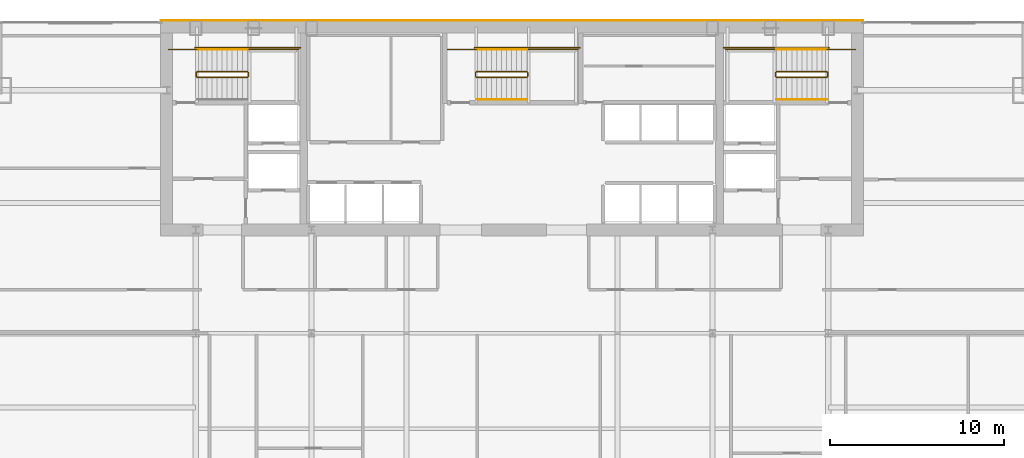
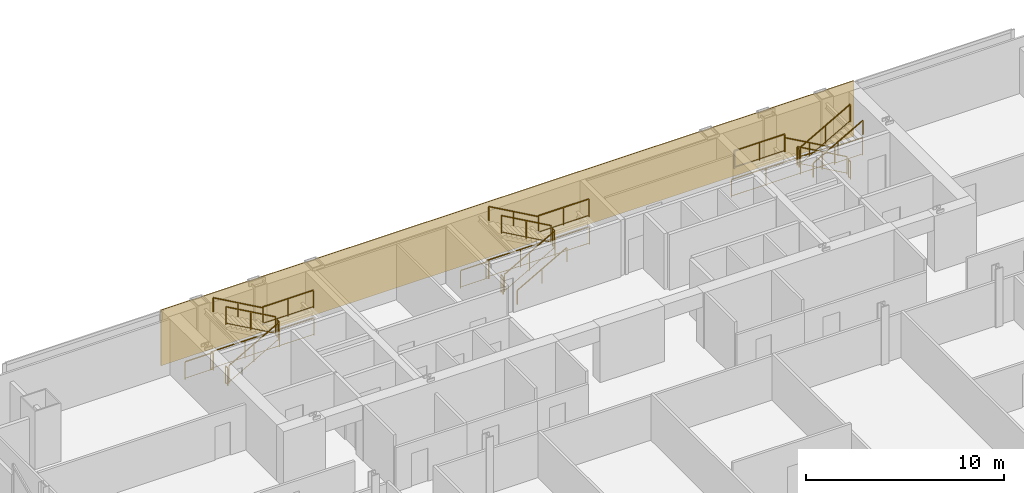
# One storey, part 33 of 33: 26 railings, 1 covering.
"""IFC4 building model written with IfcOpenShell, lengths in metres."""

from ifc_helpers import new_model, si_unit, direction, frame, origin, origin_2d, place, context, subcontext, project, spatial, polyline, rectangle, outline, extrude, material, layer, layer_set, type_object, element, save


model = new_model("IFC4")

# Units and contexts
model_context = context("Model", 3, precision=1e-05, world=origin(), true_north=direction((0.0, 1.0)))
body_context = subcontext(model_context, "Body", "Model", "MODEL_VIEW")
ifc_project = project(units=[si_unit("LENGTHUNIT", "METRE"), si_unit("AREAUNIT", "SQUARE_METRE"), si_unit("VOLUMEUNIT", "CUBIC_METRE"), si_unit("PLANEANGLEUNIT", "RADIAN"), si_unit("MASSUNIT", "GRAM", prefix="KILO")], contexts=[model_context])

# Site, building, storey
site_placement = place(None, origin())
site = spatial("IfcSite", under=ifc_project, at=site_placement, CompositionType="ELEMENT")
building_placement = place(site_placement, origin())
building = spatial("IfcBuilding", under=site, at=building_placement, Name="Khoronbel Lancet Exchange", CompositionType="ELEMENT")
storey_placement = place(building_placement, frame((0.0, 0.0, 114.60009765625)))
storey = spatial("IfcBuildingStorey", under=building, at=storey_placement, Name="L27", CompositionType="ELEMENT", Elevation=114.60009765625)

# Covering
ifc_material_1 = material(Name="Honed Egyptian Limestone & Bronze Rainscreen", Category="masonry")
ifc_layer = layer(ifc_material_1, 0.050048828125, Name="Honed Egyptian Limestone & Bronze Rainscreen")
ifc_layer_set = layer_set([ifc_layer], Name="Honed Egyptian Limestone & Bronze Rainscreen")
covering_type = type_object("IfcCoveringType", Name="COV-CLAD1", PredefinedType="CLADDING", material=ifc_layer_set)
covering_placement = place(storey_placement, origin())
element("IfcCovering", 1, at=covering_placement, inside=storey, type_object=covering_type, Name="Level L27 north rear-core stone and bronze rainscreen cladding", PredefinedType="CLADDING", context=body_context, shape_type="SweptSolid", body=[
    extrude(outline(polyline([(16.199951171875, 53.699951171875), (56.699951171875, 53.699951171875), (56.699951171875, 53.75), (16.199951171875, 53.75), (16.199951171875, 53.699951171875)])), origin(), (0.0, 0.0, 1.0), 3.43994140625),
])

# Railings
ifc_material_2 = material(Name="Painted Steel Balustrade", Category="steel")
railing_type_1 = type_object("IfcRailingType", Name="RL-STG110", PredefinedType="GUARDRAIL", material=ifc_material_2)
railing_1_placement = place(storey_placement, frame((18.300048828125, 50.449951171875, 0.16357421875)))
element("IfcRailing", 2, at=railing_1_placement, inside=storey, type_object=railing_type_1, Name="L27 ST1 stair guard 1", PredefinedType="GUARDRAIL", context=body_context, shape_type="SweptSolid", body=[
    extrude(rectangle(XDim=0.048095703125, YDim=0.048095703125, at=origin_2d()), frame((0.0, 0.0, 1.09619140625), z_axis=(0.870928581787, 0.0, 0.491409610636), x_axis=(0.0, 1.0, 0.0)), (0.0, 0.0, 1.0), 3.32958984375),
    extrude(rectangle(XDim=0.02392578125, YDim=0.02392578125, at=origin_2d()), frame((0.0, 0.0, 0.080078125), z_axis=(0.870928581787, 0.0, 0.491409610636), x_axis=(0.0, 1.0, 0.0)), (0.0, 0.0, 1.0), 3.32958984375),
    extrude(rectangle(XDim=0.0419921875, YDim=0.0419921875, at=origin_2d()), origin(), (0.0, 0.0, 1.0), 1.072021484375),
    extrude(rectangle(XDim=0.0419921875, YDim=0.0419921875, at=origin_2d()), frame((1.449951171875, 0.0, 0.818115234375)), (0.0, 0.0, 1.0), 1.072021484375),
    extrude(rectangle(XDim=0.0419921875, YDim=0.0419921875, at=origin_2d()), frame((2.89990234375, 0.0, 1.63623046875)), (0.0, 0.0, 1.0), 1.072021484375),
])
railing_2_placement = place(storey_placement, frame((21.25, 50.5, 1.7998046875)))
element("IfcRailing", 3, at=railing_2_placement, inside=storey, type_object=railing_type_1, Name="L27 ST1 stair guard 2", PredefinedType="GUARDRAIL", context=body_context, shape_type="SweptSolid", body=[
    extrude(rectangle(XDim=0.048095703125, YDim=0.048095703125, at=origin_2d()), frame((0.0, 0.0, 1.09619140625), z_axis=(0.0, 1.0, 0.0), x_axis=(-1.0, 0.0, 0.0)), (0.0, 0.0, 1.0), 0.219970703125),
    extrude(rectangle(XDim=0.02392578125, YDim=0.02392578125, at=origin_2d()), frame((0.0, 0.0, 0.080078125), z_axis=(0.0, 1.0, 0.0), x_axis=(-1.0, 0.0, 0.0)), (0.0, 0.0, 1.0), 0.219970703125),
    extrude(rectangle(XDim=0.0419921875, YDim=0.0419921875, at=origin_2d()), origin(), (0.0, 0.0, 1.0), 1.072021484375),
    extrude(rectangle(XDim=0.0419921875, YDim=0.0419921875, at=origin_2d()), frame((0.0, 0.219970703125, 0.0)), (0.0, 0.0, 1.0), 1.072021484375),
])
railing_3_placement = place(storey_placement, frame((21.199951171875, 52.050048828125, 1.7998046875)))
element("IfcRailing", 4, at=railing_3_placement, inside=storey, type_object=railing_type_1, Name="L27 ST1 stair guard 3", PredefinedType="GUARDRAIL", context=body_context, shape_type="SweptSolid", body=[
    extrude(rectangle(XDim=0.048095703125, YDim=0.048095703125, at=origin_2d()), frame((0.0, 0.0, 1.09619140625), z_axis=(1.0, 0.0, 0.0), x_axis=(0.0, 1.0, 0.0)), (0.0, 0.0, 1.0), 2.949951171875),
    extrude(rectangle(XDim=0.02392578125, YDim=0.02392578125, at=origin_2d()), frame((0.0, 0.0, 0.080078125), z_axis=(1.0, 0.0, 0.0), x_axis=(0.0, 1.0, 0.0)), (0.0, 0.0, 1.0), 2.949951171875),
    extrude(rectangle(XDim=0.0419921875, YDim=0.0419921875, at=origin_2d()), origin(), (0.0, 0.0, 1.0), 1.072021484375),
    extrude(rectangle(XDim=0.0419921875, YDim=0.0419921875, at=origin_2d()), frame((1.47509765625, 0.0, 0.0)), (0.0, 0.0, 1.0), 1.072021484375),
    extrude(rectangle(XDim=0.0419921875, YDim=0.0419921875, at=origin_2d()), frame((2.949951171875, 0.0, 0.0)), (0.0, 0.0, 1.0), 1.072021484375),
])
railing_4_placement = place(storey_placement, frame((21.199951171875, 50.77001953125, 1.963623046875)))
element("IfcRailing", 5, at=railing_4_placement, inside=storey, type_object=railing_type_1, Name="L27 ST1 stair guard 4", PredefinedType="GUARDRAIL", context=body_context, shape_type="SweptSolid", body=[
    extrude(rectangle(XDim=0.048095703125, YDim=0.048095703125, at=origin_2d()), frame((0.0, 0.0, 1.09619140625), z_axis=(-0.870928581787, 0.0, 0.491409610636), x_axis=(0.0, -1.0, 0.0)), (0.0, 0.0, 1.0), 3.32958984375),
    extrude(rectangle(XDim=0.02392578125, YDim=0.02392578125, at=origin_2d()), frame((0.0, 0.0, 0.080078125), z_axis=(-0.870928581787, 0.0, 0.491409610636), x_axis=(0.0, -1.0, 0.0)), (0.0, 0.0, 1.0), 3.32958984375),
    extrude(rectangle(XDim=0.0419921875, YDim=0.0419921875, at=origin_2d()), origin(), (0.0, 0.0, 1.0), 1.072021484375),
    extrude(rectangle(XDim=0.0419921875, YDim=0.0419921875, at=origin_2d()), frame((-1.449951171875, 0.0, 0.818115234375)), (0.0, 0.0, 1.0), 1.072021484375),
    extrude(rectangle(XDim=0.0419921875, YDim=0.0419921875, at=origin_2d()), frame((-2.89990234375, 0.0, 1.63623046875)), (0.0, 0.0, 1.0), 1.072021484375),
])
railing_5_placement = place(storey_placement, frame((18.25, 50.5, 0.0)))
element("IfcRailing", 6, at=railing_5_placement, inside=storey, type_object=railing_type_1, Name="L27 ST1 stair guard 5", PredefinedType="GUARDRAIL", context=body_context, shape_type="SweptSolid", body=[
    extrude(rectangle(XDim=0.048095703125, YDim=0.048095703125, at=origin_2d()), frame((0.0, 0.0, 1.09619140625), z_axis=(0.0, 1.0, 0.0), x_axis=(-1.0, 0.0, 0.0)), (0.0, 0.0, 1.0), 0.219970703125),
    extrude(rectangle(XDim=0.02392578125, YDim=0.02392578125, at=origin_2d()), frame((0.0, 0.0, 0.080078125), z_axis=(0.0, 1.0, 0.0), x_axis=(-1.0, 0.0, 0.0)), (0.0, 0.0, 1.0), 0.219970703125),
    extrude(rectangle(XDim=0.0419921875, YDim=0.0419921875, at=origin_2d()), origin(), (0.0, 0.0, 1.0), 1.072021484375),
    extrude(rectangle(XDim=0.0419921875, YDim=0.0419921875, at=origin_2d()), frame((0.0, 0.219970703125, 0.0)), (0.0, 0.0, 1.0), 1.072021484375),
])
railing_6_placement = place(storey_placement, frame((16.64990234375, 52.050048828125, 0.0)))
element("IfcRailing", 7, at=railing_6_placement, inside=storey, type_object=railing_type_1, Name="L27 ST1 stair guard 6", PredefinedType="GUARDRAIL", context=body_context, shape_type="SweptSolid", body=[
    extrude(rectangle(XDim=0.048095703125, YDim=0.048095703125, at=origin_2d()), frame((0.0, 0.0, 1.09619140625), z_axis=(1.0, 0.0, 0.0), x_axis=(0.0, 1.0, 0.0)), (0.0, 0.0, 1.0), 1.650146484375),
    extrude(rectangle(XDim=0.02392578125, YDim=0.02392578125, at=origin_2d()), frame((0.0, 0.0, 0.080078125), z_axis=(1.0, 0.0, 0.0), x_axis=(0.0, 1.0, 0.0)), (0.0, 0.0, 1.0), 1.650146484375),
    extrude(rectangle(XDim=0.0419921875, YDim=0.0419921875, at=origin_2d()), origin(), (0.0, 0.0, 1.0), 1.072021484375),
    extrude(rectangle(XDim=0.0419921875, YDim=0.0419921875, at=origin_2d()), frame((1.650146484375, 0.0, 0.0)), (0.0, 0.0, 1.0), 1.072021484375),
])
railing_7_placement = place(storey_placement, frame((18.199951171875, 52.14990234375, 0.0)))
element("IfcRailing", 8, at=railing_7_placement, inside=storey, type_object=railing_type_1, Name="L27 ST1 stair guard 7", PredefinedType="GUARDRAIL", context=body_context, shape_type="SweptSolid", body=[
    extrude(rectangle(XDim=0.048095703125, YDim=0.048095703125, at=origin_2d()), frame((0.0, 0.0, 1.09619140625), z_axis=(1.0, 0.0, 0.0), x_axis=(0.0, 1.0, 0.0)), (0.0, 0.0, 1.0), 6.050048828125),
    extrude(rectangle(XDim=0.02392578125, YDim=0.02392578125, at=origin_2d()), frame((0.0, 0.0, 0.080078125), z_axis=(1.0, 0.0, 0.0), x_axis=(0.0, 1.0, 0.0)), (0.0, 0.0, 1.0), 6.050048828125),
    extrude(rectangle(XDim=0.0419921875, YDim=0.0419921875, at=origin_2d()), origin(), (0.0, 0.0, 1.0), 1.072021484375),
    extrude(rectangle(XDim=0.0419921875, YDim=0.0419921875, at=origin_2d()), frame((2.0166015625, 0.0, 0.0)), (0.0, 0.0, 1.0), 1.072021484375),
    extrude(rectangle(XDim=0.0419921875, YDim=0.0419921875, at=origin_2d()), frame((4.033447265625, 0.0, 0.0)), (0.0, 0.0, 1.0), 1.072021484375),
    extrude(rectangle(XDim=0.0419921875, YDim=0.0419921875, at=origin_2d()), frame((6.050048828125, 0.0, 0.0)), (0.0, 0.0, 1.0), 1.072021484375),
])
railing_8_placement = place(storey_placement, frame((54.60009765625, 50.77001953125, 0.16357421875)))
element("IfcRailing", 9, at=railing_8_placement, inside=storey, type_object=railing_type_1, Name="L27 ST2 stair guard 1", PredefinedType="GUARDRAIL", context=body_context, shape_type="SweptSolid", body=[
    extrude(rectangle(XDim=0.048095703125, YDim=0.048095703125, at=origin_2d()), frame((0.0, 0.0, 1.09619140625), z_axis=(-0.870946286338, 0.0, 0.49137823142), x_axis=(0.0, -1.0, 0.0)), (0.0, 0.0, 1.0), 3.329833984375),
    extrude(rectangle(XDim=0.02392578125, YDim=0.02392578125, at=origin_2d()), frame((0.0, 0.0, 0.080078125), z_axis=(-0.870946286338, 0.0, 0.49137823142), x_axis=(0.0, -1.0, 0.0)), (0.0, 0.0, 1.0), 3.329833984375),
    extrude(rectangle(XDim=0.0419921875, YDim=0.0419921875, at=origin_2d()), origin(), (0.0, 0.0, 1.0), 1.072021484375),
    extrude(rectangle(XDim=0.0419921875, YDim=0.0419921875, at=origin_2d()), frame((-1.4501953125, 0.0, 0.818115234375)), (0.0, 0.0, 1.0), 1.072021484375),
    extrude(rectangle(XDim=0.0419921875, YDim=0.0419921875, at=origin_2d()), frame((-2.900146484375, 0.0, 1.63623046875)), (0.0, 0.0, 1.0), 1.072021484375),
])
railing_9_placement = place(storey_placement, frame((51.64990234375, 50.719970703125, 1.7998046875)))
element("IfcRailing", 10, at=railing_9_placement, inside=storey, type_object=railing_type_1, Name="L27 ST2 stair guard 2", PredefinedType="GUARDRAIL", context=body_context, shape_type="SweptSolid", body=[
    extrude(rectangle(XDim=0.048095703125, YDim=0.048095703125, at=origin_2d()), frame((0.0, 0.0, 1.09619140625), z_axis=(0.0, -1.0, 0.0), x_axis=(1.0, 0.0, 0.0)), (0.0, 0.0, 1.0), 0.219970703125),
    extrude(rectangle(XDim=0.02392578125, YDim=0.02392578125, at=origin_2d()), frame((0.0, 0.0, 0.080078125), z_axis=(0.0, -1.0, 0.0), x_axis=(1.0, 0.0, 0.0)), (0.0, 0.0, 1.0), 0.219970703125),
    extrude(rectangle(XDim=0.0419921875, YDim=0.0419921875, at=origin_2d()), origin(), (0.0, 0.0, 1.0), 1.072021484375),
    extrude(rectangle(XDim=0.0419921875, YDim=0.0419921875, at=origin_2d()), frame((0.0, -0.219970703125, 0.0)), (0.0, 0.0, 1.0), 1.072021484375),
])
railing_10_placement = place(storey_placement, frame((51.699951171875, 52.050048828125, 1.7998046875)))
element("IfcRailing", 11, at=railing_10_placement, inside=storey, type_object=railing_type_1, Name="L27 ST2 stair guard 3", PredefinedType="GUARDRAIL", context=body_context, shape_type="SweptSolid", body=[
    extrude(rectangle(XDim=0.048095703125, YDim=0.048095703125, at=origin_2d()), frame((0.0, 0.0, 1.09619140625), z_axis=(-1.0, 0.0, 0.0), x_axis=(0.0, -1.0, 0.0)), (0.0, 0.0, 1.0), 2.949951171875),
    extrude(rectangle(XDim=0.02392578125, YDim=0.02392578125, at=origin_2d()), frame((0.0, 0.0, 0.080078125), z_axis=(-1.0, 0.0, 0.0), x_axis=(0.0, -1.0, 0.0)), (0.0, 0.0, 1.0), 2.949951171875),
    extrude(rectangle(XDim=0.0419921875, YDim=0.0419921875, at=origin_2d()), origin(), (0.0, 0.0, 1.0), 1.072021484375),
    extrude(rectangle(XDim=0.0419921875, YDim=0.0419921875, at=origin_2d()), frame((-1.47509765625, 0.0, 0.0)), (0.0, 0.0, 1.0), 1.072021484375),
    extrude(rectangle(XDim=0.0419921875, YDim=0.0419921875, at=origin_2d()), frame((-2.949951171875, 0.0, 0.0)), (0.0, 0.0, 1.0), 1.072021484375),
])
railing_11_placement = place(storey_placement, frame((51.699951171875, 50.449951171875, 1.963623046875)))
element("IfcRailing", 12, at=railing_11_placement, inside=storey, type_object=railing_type_1, Name="L27 ST2 stair guard 4", PredefinedType="GUARDRAIL", context=body_context, shape_type="SweptSolid", body=[
    extrude(rectangle(XDim=0.048095703125, YDim=0.048095703125, at=origin_2d()), frame((0.0, 0.0, 1.09619140625), z_axis=(0.870946286338, 0.0, 0.49137823142), x_axis=(0.0, 1.0, 0.0)), (0.0, 0.0, 1.0), 3.329833984375),
    extrude(rectangle(XDim=0.02392578125, YDim=0.02392578125, at=origin_2d()), frame((0.0, 0.0, 0.080078125), z_axis=(0.870946286338, 0.0, 0.49137823142), x_axis=(0.0, 1.0, 0.0)), (0.0, 0.0, 1.0), 3.329833984375),
    extrude(rectangle(XDim=0.0419921875, YDim=0.0419921875, at=origin_2d()), origin(), (0.0, 0.0, 1.0), 1.072021484375),
    extrude(rectangle(XDim=0.0419921875, YDim=0.0419921875, at=origin_2d()), frame((1.4501953125, 0.0, 0.818115234375)), (0.0, 0.0, 1.0), 1.072021484375),
    extrude(rectangle(XDim=0.0419921875, YDim=0.0419921875, at=origin_2d()), frame((2.900146484375, 0.0, 1.63623046875)), (0.0, 0.0, 1.0), 1.072021484375),
])
railing_12_placement = place(storey_placement, frame((54.64990234375, 50.719970703125, 0.0)))
element("IfcRailing", 13, at=railing_12_placement, inside=storey, type_object=railing_type_1, Name="L27 ST2 stair guard 5", PredefinedType="GUARDRAIL", context=body_context, shape_type="SweptSolid", body=[
    extrude(rectangle(XDim=0.048095703125, YDim=0.048095703125, at=origin_2d()), frame((0.0, 0.0, 1.09619140625), z_axis=(0.0, -1.0, 0.0), x_axis=(1.0, 0.0, 0.0)), (0.0, 0.0, 1.0), 0.219970703125),
    extrude(rectangle(XDim=0.02392578125, YDim=0.02392578125, at=origin_2d()), frame((0.0, 0.0, 0.080078125), z_axis=(0.0, -1.0, 0.0), x_axis=(1.0, 0.0, 0.0)), (0.0, 0.0, 1.0), 0.219970703125),
    extrude(rectangle(XDim=0.0419921875, YDim=0.0419921875, at=origin_2d()), origin(), (0.0, 0.0, 1.0), 1.072021484375),
    extrude(rectangle(XDim=0.0419921875, YDim=0.0419921875, at=origin_2d()), frame((0.0, -0.219970703125, 0.0)), (0.0, 0.0, 1.0), 1.072021484375),
])
railing_13_placement = place(storey_placement, frame((56.25, 52.050048828125, 0.0)))
element("IfcRailing", 14, at=railing_13_placement, inside=storey, type_object=railing_type_1, Name="L27 ST2 stair guard 6", PredefinedType="GUARDRAIL", context=body_context, shape_type="SweptSolid", body=[
    extrude(rectangle(XDim=0.048095703125, YDim=0.048095703125, at=origin_2d()), frame((0.0, 0.0, 1.09619140625), z_axis=(-1.0, 0.0, 0.0), x_axis=(0.0, -1.0, 0.0)), (0.0, 0.0, 1.0), 1.64990234375),
    extrude(rectangle(XDim=0.02392578125, YDim=0.02392578125, at=origin_2d()), frame((0.0, 0.0, 0.080078125), z_axis=(-1.0, 0.0, 0.0), x_axis=(0.0, -1.0, 0.0)), (0.0, 0.0, 1.0), 1.64990234375),
    extrude(rectangle(XDim=0.0419921875, YDim=0.0419921875, at=origin_2d()), origin(), (0.0, 0.0, 1.0), 1.072021484375),
    extrude(rectangle(XDim=0.0419921875, YDim=0.0419921875, at=origin_2d()), frame((-1.64990234375, 0.0, 0.0)), (0.0, 0.0, 1.0), 1.072021484375),
])
railing_14_placement = place(storey_placement, frame((54.699951171875, 52.14990234375, 0.0)))
element("IfcRailing", 15, at=railing_14_placement, inside=storey, type_object=railing_type_1, Name="L27 ST2 stair guard 7", PredefinedType="GUARDRAIL", context=body_context, shape_type="SweptSolid", body=[
    extrude(rectangle(XDim=0.048095703125, YDim=0.048095703125, at=origin_2d()), frame((0.0, 0.0, 1.09619140625), z_axis=(-1.0, 0.0, 0.0), x_axis=(0.0, -1.0, 0.0)), (0.0, 0.0, 1.0), 6.050048828125),
    extrude(rectangle(XDim=0.02392578125, YDim=0.02392578125, at=origin_2d()), frame((0.0, 0.0, 0.080078125), z_axis=(-1.0, 0.0, 0.0), x_axis=(0.0, -1.0, 0.0)), (0.0, 0.0, 1.0), 6.050048828125),
    extrude(rectangle(XDim=0.0419921875, YDim=0.0419921875, at=origin_2d()), origin(), (0.0, 0.0, 1.0), 1.072021484375),
    extrude(rectangle(XDim=0.0419921875, YDim=0.0419921875, at=origin_2d()), frame((-2.0166015625, 0.0, 0.0)), (0.0, 0.0, 1.0), 1.072021484375),
    extrude(rectangle(XDim=0.0419921875, YDim=0.0419921875, at=origin_2d()), frame((-4.033447265625, 0.0, 0.0)), (0.0, 0.0, 1.0), 1.072021484375),
    extrude(rectangle(XDim=0.0419921875, YDim=0.0419921875, at=origin_2d()), frame((-6.050048828125, 0.0, 0.0)), (0.0, 0.0, 1.0), 1.072021484375),
])
railing_15_placement = place(storey_placement, frame((34.39990234375, 50.449951171875, 0.16357421875)))
element("IfcRailing", 16, at=railing_15_placement, inside=storey, type_object=railing_type_1, Name="L27 ST3 stair guard 1", PredefinedType="GUARDRAIL", context=body_context, shape_type="SweptSolid", body=[
    extrude(rectangle(XDim=0.048095703125, YDim=0.048095703125, at=origin_2d()), frame((0.0, 0.0, 1.09619140625), z_axis=(0.870946286338, 0.0, 0.49137823142), x_axis=(0.0, 1.0, 0.0)), (0.0, 0.0, 1.0), 3.329833984375),
    extrude(rectangle(XDim=0.02392578125, YDim=0.02392578125, at=origin_2d()), frame((0.0, 0.0, 0.080078125), z_axis=(0.870946286338, 0.0, 0.49137823142), x_axis=(0.0, 1.0, 0.0)), (0.0, 0.0, 1.0), 3.329833984375),
    extrude(rectangle(XDim=0.0419921875, YDim=0.0419921875, at=origin_2d()), origin(), (0.0, 0.0, 1.0), 1.072021484375),
    extrude(rectangle(XDim=0.0419921875, YDim=0.0419921875, at=origin_2d()), frame((1.4501953125, 0.0, 0.818115234375)), (0.0, 0.0, 1.0), 1.072021484375),
    extrude(rectangle(XDim=0.0419921875, YDim=0.0419921875, at=origin_2d()), frame((2.900146484375, 0.0, 1.63623046875)), (0.0, 0.0, 1.0), 1.072021484375),
])
railing_16_placement = place(storey_placement, frame((37.35009765625, 50.5, 1.7998046875)))
element("IfcRailing", 17, at=railing_16_placement, inside=storey, type_object=railing_type_1, Name="L27 ST3 stair guard 2", PredefinedType="GUARDRAIL", context=body_context, shape_type="SweptSolid", body=[
    extrude(rectangle(XDim=0.048095703125, YDim=0.048095703125, at=origin_2d()), frame((0.0, 0.0, 1.09619140625), z_axis=(0.0, 1.0, 0.0), x_axis=(-1.0, 0.0, 0.0)), (0.0, 0.0, 1.0), 0.219970703125),
    extrude(rectangle(XDim=0.02392578125, YDim=0.02392578125, at=origin_2d()), frame((0.0, 0.0, 0.080078125), z_axis=(0.0, 1.0, 0.0), x_axis=(-1.0, 0.0, 0.0)), (0.0, 0.0, 1.0), 0.219970703125),
    extrude(rectangle(XDim=0.0419921875, YDim=0.0419921875, at=origin_2d()), origin(), (0.0, 0.0, 1.0), 1.072021484375),
    extrude(rectangle(XDim=0.0419921875, YDim=0.0419921875, at=origin_2d()), frame((0.0, 0.219970703125, 0.0)), (0.0, 0.0, 1.0), 1.072021484375),
])
railing_17_placement = place(storey_placement, frame((37.300048828125, 52.050048828125, 1.7998046875)))
element("IfcRailing", 18, at=railing_17_placement, inside=storey, type_object=railing_type_1, Name="L27 ST3 stair guard 3", PredefinedType="GUARDRAIL", context=body_context, shape_type="SweptSolid", body=[
    extrude(rectangle(XDim=0.048095703125, YDim=0.048095703125, at=origin_2d()), frame((0.0, 0.0, 1.09619140625), z_axis=(1.0, 0.0, 0.0), x_axis=(0.0, 1.0, 0.0)), (0.0, 0.0, 1.0), 2.949951171875),
    extrude(rectangle(XDim=0.02392578125, YDim=0.02392578125, at=origin_2d()), frame((0.0, 0.0, 0.080078125), z_axis=(1.0, 0.0, 0.0), x_axis=(0.0, 1.0, 0.0)), (0.0, 0.0, 1.0), 2.949951171875),
    extrude(rectangle(XDim=0.0419921875, YDim=0.0419921875, at=origin_2d()), origin(), (0.0, 0.0, 1.0), 1.072021484375),
    extrude(rectangle(XDim=0.0419921875, YDim=0.0419921875, at=origin_2d()), frame((1.47509765625, 0.0, 0.0)), (0.0, 0.0, 1.0), 1.072021484375),
    extrude(rectangle(XDim=0.0419921875, YDim=0.0419921875, at=origin_2d()), frame((2.949951171875, 0.0, 0.0)), (0.0, 0.0, 1.0), 1.072021484375),
])
railing_18_placement = place(storey_placement, frame((37.300048828125, 50.77001953125, 1.963623046875)))
element("IfcRailing", 19, at=railing_18_placement, inside=storey, type_object=railing_type_1, Name="L27 ST3 stair guard 4", PredefinedType="GUARDRAIL", context=body_context, shape_type="SweptSolid", body=[
    extrude(rectangle(XDim=0.048095703125, YDim=0.048095703125, at=origin_2d()), frame((0.0, 0.0, 1.09619140625), z_axis=(-0.870946286338, 0.0, 0.49137823142), x_axis=(0.0, -1.0, 0.0)), (0.0, 0.0, 1.0), 3.329833984375),
    extrude(rectangle(XDim=0.02392578125, YDim=0.02392578125, at=origin_2d()), frame((0.0, 0.0, 0.080078125), z_axis=(-0.870946286338, 0.0, 0.49137823142), x_axis=(0.0, -1.0, 0.0)), (0.0, 0.0, 1.0), 3.329833984375),
    extrude(rectangle(XDim=0.0419921875, YDim=0.0419921875, at=origin_2d()), origin(), (0.0, 0.0, 1.0), 1.072021484375),
    extrude(rectangle(XDim=0.0419921875, YDim=0.0419921875, at=origin_2d()), frame((-1.4501953125, 0.0, 0.818115234375)), (0.0, 0.0, 1.0), 1.072021484375),
    extrude(rectangle(XDim=0.0419921875, YDim=0.0419921875, at=origin_2d()), frame((-2.900146484375, 0.0, 1.63623046875)), (0.0, 0.0, 1.0), 1.072021484375),
])
railing_19_placement = place(storey_placement, frame((34.35009765625, 50.5, 0.0)))
element("IfcRailing", 20, at=railing_19_placement, inside=storey, type_object=railing_type_1, Name="L27 ST3 stair guard 5", PredefinedType="GUARDRAIL", context=body_context, shape_type="SweptSolid", body=[
    extrude(rectangle(XDim=0.048095703125, YDim=0.048095703125, at=origin_2d()), frame((0.0, 0.0, 1.09619140625), z_axis=(0.0, 1.0, 0.0), x_axis=(-1.0, 0.0, 0.0)), (0.0, 0.0, 1.0), 0.219970703125),
    extrude(rectangle(XDim=0.02392578125, YDim=0.02392578125, at=origin_2d()), frame((0.0, 0.0, 0.080078125), z_axis=(0.0, 1.0, 0.0), x_axis=(-1.0, 0.0, 0.0)), (0.0, 0.0, 1.0), 0.219970703125),
    extrude(rectangle(XDim=0.0419921875, YDim=0.0419921875, at=origin_2d()), origin(), (0.0, 0.0, 1.0), 1.072021484375),
    extrude(rectangle(XDim=0.0419921875, YDim=0.0419921875, at=origin_2d()), frame((0.0, 0.219970703125, 0.0)), (0.0, 0.0, 1.0), 1.072021484375),
])
railing_20_placement = place(storey_placement, frame((32.75, 52.050048828125, 0.0)))
element("IfcRailing", 21, at=railing_20_placement, inside=storey, type_object=railing_type_1, Name="L27 ST3 stair guard 6", PredefinedType="GUARDRAIL", context=body_context, shape_type="SweptSolid", body=[
    extrude(rectangle(XDim=0.048095703125, YDim=0.048095703125, at=origin_2d()), frame((0.0, 0.0, 1.09619140625), z_axis=(1.0, 0.0, 0.0), x_axis=(0.0, 1.0, 0.0)), (0.0, 0.0, 1.0), 1.64990234375),
    extrude(rectangle(XDim=0.02392578125, YDim=0.02392578125, at=origin_2d()), frame((0.0, 0.0, 0.080078125), z_axis=(1.0, 0.0, 0.0), x_axis=(0.0, 1.0, 0.0)), (0.0, 0.0, 1.0), 1.64990234375),
    extrude(rectangle(XDim=0.0419921875, YDim=0.0419921875, at=origin_2d()), origin(), (0.0, 0.0, 1.0), 1.072021484375),
    extrude(rectangle(XDim=0.0419921875, YDim=0.0419921875, at=origin_2d()), frame((1.64990234375, 0.0, 0.0)), (0.0, 0.0, 1.0), 1.072021484375),
])
railing_21_placement = place(storey_placement, frame((34.300048828125, 52.14990234375, 0.0)))
element("IfcRailing", 22, at=railing_21_placement, inside=storey, type_object=railing_type_1, Name="L27 ST3 stair guard 7", PredefinedType="GUARDRAIL", context=body_context, shape_type="SweptSolid", body=[
    extrude(rectangle(XDim=0.048095703125, YDim=0.048095703125, at=origin_2d()), frame((0.0, 0.0, 1.09619140625), z_axis=(1.0, 0.0, 0.0), x_axis=(0.0, 1.0, 0.0)), (0.0, 0.0, 1.0), 6.050048828125),
    extrude(rectangle(XDim=0.02392578125, YDim=0.02392578125, at=origin_2d()), frame((0.0, 0.0, 0.080078125), z_axis=(1.0, 0.0, 0.0), x_axis=(0.0, 1.0, 0.0)), (0.0, 0.0, 1.0), 6.050048828125),
    extrude(rectangle(XDim=0.0419921875, YDim=0.0419921875, at=origin_2d()), origin(), (0.0, 0.0, 1.0), 1.072021484375),
    extrude(rectangle(XDim=0.0419921875, YDim=0.0419921875, at=origin_2d()), frame((2.0166015625, 0.0, 0.0)), (0.0, 0.0, 1.0), 1.072021484375),
    extrude(rectangle(XDim=0.0419921875, YDim=0.0419921875, at=origin_2d()), frame((4.033447265625, 0.0, 0.0)), (0.0, 0.0, 1.0), 1.072021484375),
    extrude(rectangle(XDim=0.0419921875, YDim=0.0419921875, at=origin_2d()), frame((6.050048828125, 0.0, 0.0)), (0.0, 0.0, 1.0), 1.072021484375),
])
ifc_material_3 = material(Name="Brushed Stainless Steel 316", Category="steel")
railing_type_2 = type_object("IfcRailingType", Name="RL-STH92", PredefinedType="HANDRAIL", material=ifc_material_3)
railing_22_placement = place(storey_placement, frame((21.199951171875, 52.050048828125, 1.963623046875)))
element("IfcRailing", 23, at=railing_22_placement, inside=storey, type_object=railing_type_2, Name="L27 ST1 stair handrail 2", PredefinedType="HANDRAIL", context=body_context, shape_type="SweptSolid", body=[
    extrude(rectangle(XDim=0.048095703125, YDim=0.048095703125, at=origin_2d()), frame((0.0, 0.0, 0.8759765625), z_axis=(-0.870928581787, 0.0, 0.491409610636), x_axis=(0.0, -1.0, 0.0)), (0.0, 0.0, 1.0), 3.32958984375),
    extrude(rectangle(XDim=0.0419921875, YDim=0.0419921875, at=origin_2d()), origin(), (0.0, 0.0, 1.0), 0.851806640625),
    extrude(rectangle(XDim=0.0419921875, YDim=0.0419921875, at=origin_2d()), frame((-1.449951171875, 0.0, 0.818115234375)), (0.0, 0.0, 1.0), 0.851806640625),
    extrude(rectangle(XDim=0.0419921875, YDim=0.0419921875, at=origin_2d()), frame((-2.89990234375, 0.0, 1.63623046875)), (0.0, 0.0, 1.0), 0.851806640625),
])
railing_23_placement = place(storey_placement, frame((54.60009765625, 52.050048828125, 0.16357421875)))
element("IfcRailing", 24, at=railing_23_placement, inside=storey, type_object=railing_type_2, Name="L27 ST2 stair handrail 1", PredefinedType="HANDRAIL", context=body_context, shape_type="SweptSolid", body=[
    extrude(rectangle(XDim=0.048095703125, YDim=0.048095703125, at=origin_2d()), frame((0.0, 0.0, 0.8759765625), z_axis=(-0.870946286338, 0.0, 0.49137823142), x_axis=(0.0, -1.0, 0.0)), (0.0, 0.0, 1.0), 3.329833984375),
    extrude(rectangle(XDim=0.0419921875, YDim=0.0419921875, at=origin_2d()), origin(), (0.0, 0.0, 1.0), 0.851806640625),
    extrude(rectangle(XDim=0.0419921875, YDim=0.0419921875, at=origin_2d()), frame((-1.4501953125, 0.0, 0.818115234375)), (0.0, 0.0, 1.0), 0.851806640625),
    extrude(rectangle(XDim=0.0419921875, YDim=0.0419921875, at=origin_2d()), frame((-2.900146484375, 0.0, 1.63623046875)), (0.0, 0.0, 1.0), 0.851806640625),
])
for number, where, name in (
    (25, (51.699951171875, 49.169921875, 1.963623046875), "L27 ST2 stair handrail 2"),
    (26, (34.39990234375, 49.169921875, 0.16357421875), "L27 ST3 stair handrail 1"),
):
    element("IfcRailing", number, at=place(storey_placement, frame(where)), inside=storey, type_object=railing_type_2, Name=name, PredefinedType="HANDRAIL", context=body_context, shape_type="SweptSolid", body=[
        extrude(rectangle(XDim=0.048095703125, YDim=0.048095703125, at=origin_2d()), frame((0.0, 0.0, 0.8759765625), z_axis=(0.870946286338, 0.0, 0.49137823142), x_axis=(0.0, 1.0, 0.0)), (0.0, 0.0, 1.0), 3.329833984375),
        extrude(rectangle(XDim=0.0419921875, YDim=0.0419921875, at=origin_2d()), origin(), (0.0, 0.0, 1.0), 0.851806640625),
        extrude(rectangle(XDim=0.0419921875, YDim=0.0419921875, at=origin_2d()), frame((1.4501953125, 0.0, 0.818115234375)), (0.0, 0.0, 1.0), 0.851806640625),
        extrude(rectangle(XDim=0.0419921875, YDim=0.0419921875, at=origin_2d()), frame((2.900146484375, 0.0, 1.63623046875)), (0.0, 0.0, 1.0), 0.851806640625),
    ])
railing_24_placement = place(storey_placement, frame((37.300048828125, 52.050048828125, 1.963623046875)))
element("IfcRailing", 27, at=railing_24_placement, inside=storey, type_object=railing_type_2, Name="L27 ST3 stair handrail 2", PredefinedType="HANDRAIL", context=body_context, shape_type="SweptSolid", body=[
    extrude(rectangle(XDim=0.048095703125, YDim=0.048095703125, at=origin_2d()), frame((0.0, 0.0, 0.8759765625), z_axis=(-0.870946286338, 0.0, 0.49137823142), x_axis=(0.0, -1.0, 0.0)), (0.0, 0.0, 1.0), 3.329833984375),
    extrude(rectangle(XDim=0.0419921875, YDim=0.0419921875, at=origin_2d()), origin(), (0.0, 0.0, 1.0), 0.851806640625),
    extrude(rectangle(XDim=0.0419921875, YDim=0.0419921875, at=origin_2d()), frame((-1.4501953125, 0.0, 0.818115234375)), (0.0, 0.0, 1.0), 0.851806640625),
    extrude(rectangle(XDim=0.0419921875, YDim=0.0419921875, at=origin_2d()), frame((-2.900146484375, 0.0, 1.63623046875)), (0.0, 0.0, 1.0), 0.851806640625),
])

save(model, "model.ifc")
